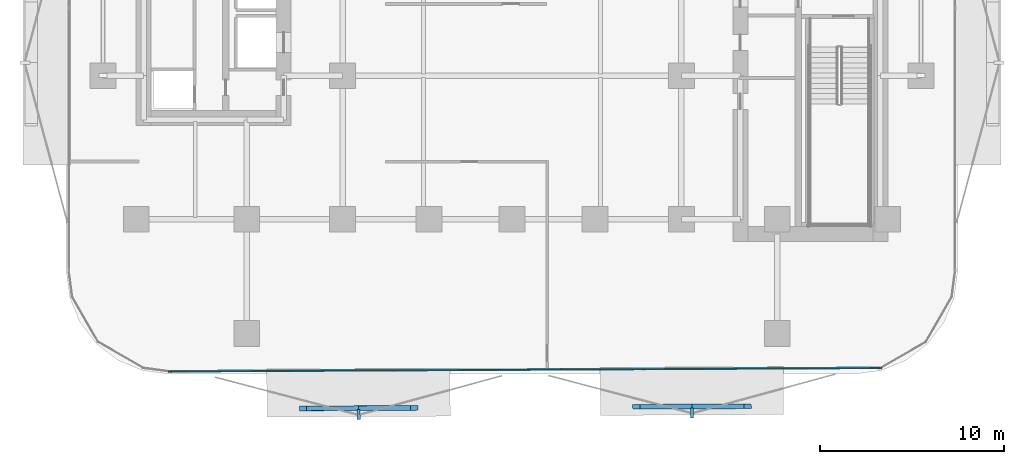
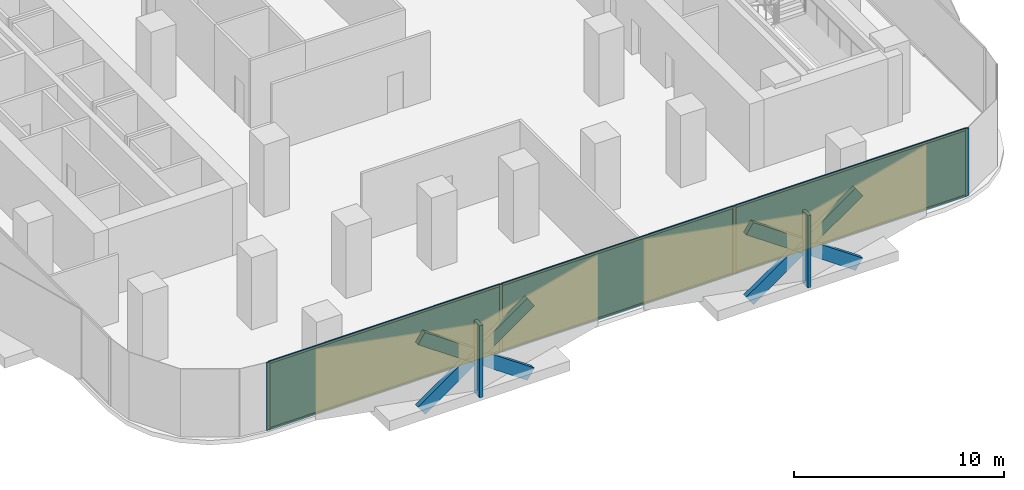
# One storey, part 7 of 15: 16 members, 3 plates, 1 curtain wall.
"""IFC4 building model written with IfcOpenShell, lengths in metres."""

from ifc_helpers import new_model, si_unit, direction, frame, frame_2d, origin, origin_2d, place, context, subcontext, project, spatial, rectangle, extrude, material, layer, layer_set, material_profile, profile_set, type_object, element, aggregate, save


model = new_model("IFC4")

# Units and contexts
model_context = context("Model", 3, precision=1e-05, world=origin(), true_north=direction((0.0, 1.0)))
body_context = subcontext(model_context, "Body", "Model", "MODEL_VIEW")
ifc_project = project(units=[si_unit("LENGTHUNIT", "METRE"), si_unit("AREAUNIT", "SQUARE_METRE"), si_unit("VOLUMEUNIT", "CUBIC_METRE"), si_unit("PLANEANGLEUNIT", "RADIAN"), si_unit("MASSUNIT", "GRAM", prefix="KILO")], contexts=[model_context])

# Member
ifc_material_1 = material(Name="Anodised Bronze Aluminium 6063-T6", Category="aluminium")
ifc_material_profile_1 = material_profile(ifc_material_1, rectangle(XDim=0.260009765625, YDim=0.699951171875, at=origin_2d()))
ifc_profile_set_1 = profile_set([ifc_material_profile_1], Name="Anodised Bronze Aluminium 6063-T6")
member_type_1 = type_object("IfcMemberType", Name="Bronze Diamond Solar-Screen Lattice Rib BDL-700", PredefinedType="MULLION", material=ifc_profile_set_1)
site_placement = place(None, origin())
building_placement = place(site_placement, origin())
storey_placement = place(building_placement, frame((0.0, 0.0, 68.0)))
member_1_placement = place(storey_placement, frame((12.788818359375, -28.747802734375, -0.1298828125), z_axis=(-0.820743653079, -0.003984998518, 0.57128274586), x_axis=(-0.00764700594, 0.999962717129, -0.004010941449)))
member_1 = element("IfcMember", 1, at=member_1_placement, type_object=member_type_1, Name="L16 Bronze Diamond Solar Screen Lattice Rib 81A", PredefinedType="MULLION", context=body_context, shape_type="SweptSolid", body=[
    extrude(rectangle(XDim=0.260009765625, YDim=0.699951171875, at=origin_2d()), origin(), (0.0, 0.0, 1.0), 7.351806640625),
])

member_2_placement = place(storey_placement, frame((6.7548828125, -28.777099609375, -0.1298828125), z_axis=(0.820743653079, 0.003984998518, 0.57128274586), x_axis=(0.00764700594, -0.999962717129, -0.004010941449)))
member_2 = element("IfcMember", 2, at=member_2_placement, type_object=member_type_1, Name="L16 Bronze Diamond Solar Screen Lattice Rib 81B", PredefinedType="MULLION", context=body_context, shape_type="SweptSolid", body=[
    extrude(rectangle(XDim=0.260009765625, YDim=0.699951171875, at=origin_2d()), origin(), (0.0, 0.0, 1.0), 7.351806640625),
])

member_3_placement = place(storey_placement, frame((-5.31298828125, -28.835693359375, -0.1298828125), z_axis=(-0.820743653079, -0.003984998518, 0.57128274586), x_axis=(-0.00764700594, 0.999962717129, -0.004010941449)))
member_3 = element("IfcMember", 3, at=member_3_placement, type_object=member_type_1, Name="L16 Bronze Diamond Solar Screen Lattice Rib 82A", PredefinedType="MULLION", context=body_context, shape_type="SweptSolid", body=[
    extrude(rectangle(XDim=0.260009765625, YDim=0.699951171875, at=origin_2d()), origin(), (0.0, 0.0, 1.0), 7.351806640625),
])

member_4_placement = place(storey_placement, frame((-11.346923828125, -28.864990234375, -0.1298828125), z_axis=(0.820743653079, 0.003984998518, 0.57128274586), x_axis=(0.00764700594, -0.999962717129, -0.004010941449)))
member_4 = element("IfcMember", 4, at=member_4_placement, type_object=member_type_1, Name="L16 Bronze Diamond Solar Screen Lattice Rib 82B", PredefinedType="MULLION", context=body_context, shape_type="SweptSolid", body=[
    extrude(rectangle(XDim=0.260009765625, YDim=0.699951171875, at=origin_2d()), origin(), (0.0, 0.0, 1.0), 7.351806640625),
])

ifc_material_2 = material(Name="Anodised Bronze Aluminium 6063-T6", Category="aluminium")
ifc_material_profile_2 = material_profile(ifc_material_2, rectangle(XDim=0.179931640625, YDim=0.5400390625, at=origin_2d()))
ifc_profile_set_2 = profile_set([ifc_material_profile_2], Name="Anodised Bronze Aluminium 6063-T6")
member_type_2 = type_object("IfcMemberType", Name="Bronze Solar-Screen Vertical Fold Fin BSF-540", PredefinedType="MULLION", material=ifc_profile_set_2)
member_5_placement = place(storey_placement, frame((9.7734375, -29.1025390625, -0.1298828125), z_axis=(0.0, 0.0, 1.0), x_axis=(-0.999988059021, -0.004886902454, 0.0)))
member_5 = element("IfcMember", 5, at=member_5_placement, type_object=member_type_2, Name="L16 Bronze Solar Screen Vertical Fin 81", PredefinedType="MULLION", context=body_context, shape_type="SweptSolid", body=[
    extrude(rectangle(XDim=0.179931640625, YDim=0.5400390625, at=origin_2d()), origin(), (0.0, 0.0, 1.0), 4.199951171875),
])

member_6_placement = place(storey_placement, frame((-8.328369140625, -29.190185546875, -0.1298828125), z_axis=(0.0, 0.0, 1.0), x_axis=(-0.999988059021, -0.004886902454, 0.0)))
member_6 = element("IfcMember", 6, at=member_6_placement, type_object=member_type_2, Name="L16 Bronze Solar Screen Vertical Fin 82", PredefinedType="MULLION", context=body_context, shape_type="SweptSolid", body=[
    extrude(rectangle(XDim=0.179931640625, YDim=0.5400390625, at=origin_2d()), origin(), (0.0, 0.0, 1.0), 4.199951171875),
])

ifc_material_3 = material(Name="Anodised Bronze Aluminium 6063-T6", Category="aluminium")
ifc_material_profile_3 = material_profile(ifc_material_3, rectangle(XDim=0.06494140625, YDim=0.179931640625, at=origin_2d()))
ifc_profile_set_3 = profile_set([ifc_material_profile_3], Name="Anodised Bronze Aluminium 6063-T6")
member_type_3 = type_object("IfcMemberType", Name="CW-Z1 Mullion 65x180", PredefinedType="MULLION", material=ifc_profile_set_3)
member_7_placement = place(storey_placement, frame((19.98046875, -26.6728515625, 0.0), z_axis=(0.0, 0.0, 1.0), x_axis=(0.004849219095, -0.999988242468, 0.0)))
member_7 = element("IfcMember", 7, at=member_7_placement, type_object=member_type_3, Name="CW-Z1 mullion 1", PredefinedType="MULLION", context=body_context, shape_type="SweptSolid", body=[
    extrude(rectangle(XDim=0.06494140625, YDim=0.179931640625, at=origin_2d()), origin(), (0.0, 0.0, 1.0), 3.93994140625),
])

member_8_placement = place(storey_placement, frame((7.14501953125, -26.735107421875, 0.0), z_axis=(0.0, 0.0, 1.0), x_axis=(0.004849219095, -0.999988242468, 0.0)))
member_8 = element("IfcMember", 8, at=member_8_placement, type_object=member_type_3, Name="CW-Z1 mullion 2", PredefinedType="MULLION", context=body_context, shape_type="SweptSolid", body=[
    extrude(rectangle(XDim=0.06494140625, YDim=0.179931640625, at=origin_2d()), origin(), (0.0, 0.0, 1.0), 3.93994140625),
])

member_9_placement = place(storey_placement, frame((-5.722900390625, -26.797607421875, 0.0), z_axis=(0.0, 0.0, 1.0), x_axis=(0.004849219095, -0.999988242468, 0.0)))
member_9 = element("IfcMember", 9, at=member_9_placement, type_object=member_type_3, Name="CW-Z1 mullion 3", PredefinedType="MULLION", context=body_context, shape_type="SweptSolid", body=[
    extrude(rectangle(XDim=0.06494140625, YDim=0.179931640625, at=origin_2d()), origin(), (0.0, 0.0, 1.0), 3.93994140625),
])

member_10_placement = place(storey_placement, frame((-18.558349609375, -26.85986328125, 0.0), z_axis=(0.0, 0.0, 1.0), x_axis=(0.004849219095, -0.999988242468, 0.0)))
member_10 = element("IfcMember", 10, at=member_10_placement, type_object=member_type_3, Name="CW-Z1 mullion 4", PredefinedType="MULLION", context=body_context, shape_type="SweptSolid", body=[
    extrude(rectangle(XDim=0.06494140625, YDim=0.179931640625, at=origin_2d()), origin(), (0.0, 0.0, 1.0), 3.93994140625),
])

ifc_material_4 = material(Name="Anodised Bronze Aluminium 6063-T6", Category="aluminium")
ifc_material_profile_4 = material_profile(ifc_material_4, rectangle(XDim=0.06494140625, YDim=0.139892578125, at=origin_2d()))
ifc_profile_set_4 = profile_set([ifc_material_profile_4], Name="Anodised Bronze Aluminium 6063-T6")
member_type_4 = type_object("IfcMemberType", Name="CW-Z1 Transom 65x140", PredefinedType="USERDEFINED", material=ifc_profile_set_4)
member_11_placement = place(storey_placement, frame((19.947998046875, -26.673095703125, 0.032470703125), z_axis=(-0.99998821055, -0.004855796541, 0.0), x_axis=(0.004855796541, -0.99998821055, 0.0)))
member_11 = element("IfcMember", 11, at=member_11_placement, type_object=member_type_4, Name="CW-Z1 transom 1.1", ObjectType="TRANSOM", PredefinedType="USERDEFINED", context=body_context, shape_type="SweptSolid", body=[
    extrude(rectangle(XDim=0.06494140625, YDim=0.139892578125, at=origin_2d()), origin(), (0.0, 0.0, 1.0), 12.770751953125),
])

member_12_placement = place(storey_placement, frame((19.947998046875, -26.673095703125, 3.907470703125), z_axis=(-0.99998821055, -0.004855796541, 0.0), x_axis=(0.004855796541, -0.99998821055, 0.0)))
member_12 = element("IfcMember", 12, at=member_12_placement, type_object=member_type_4, Name="CW-Z1 transom 1.2", ObjectType="TRANSOM", PredefinedType="USERDEFINED", context=body_context, shape_type="SweptSolid", body=[
    extrude(rectangle(XDim=0.06494140625, YDim=0.139892578125, at=origin_2d()), origin(), (0.0, 0.0, 1.0), 12.770751953125),
])

member_13_placement = place(storey_placement, frame((7.112548828125, -26.7353515625, 0.032470703125), z_axis=(-0.999988270274, -0.004843481639, 0.0), x_axis=(0.004843481639, -0.999988270274, 0.0)))
member_13 = element("IfcMember", 13, at=member_13_placement, type_object=member_type_4, Name="CW-Z1 transom 2.1", ObjectType="TRANSOM", PredefinedType="USERDEFINED", context=body_context, shape_type="SweptSolid", body=[
    extrude(rectangle(XDim=0.06494140625, YDim=0.139892578125, at=origin_2d()), origin(), (0.0, 0.0, 1.0), 12.80322265625),
])

member_14_placement = place(storey_placement, frame((7.112548828125, -26.7353515625, 3.907470703125), z_axis=(-0.999988270274, -0.004843481639, 0.0), x_axis=(0.004843481639, -0.999988270274, 0.0)))
member_14 = element("IfcMember", 14, at=member_14_placement, type_object=member_type_4, Name="CW-Z1 transom 2.2", ObjectType="TRANSOM", PredefinedType="USERDEFINED", context=body_context, shape_type="SweptSolid", body=[
    extrude(rectangle(XDim=0.06494140625, YDim=0.139892578125, at=origin_2d()), origin(), (0.0, 0.0, 1.0), 12.80322265625),
])

member_15_placement = place(storey_placement, frame((-5.75537109375, -26.7978515625, 0.032470703125), z_axis=(-0.999988303196, -0.00483667968, 0.0), x_axis=(0.00483667968, -0.999988303196, 0.0)))
member_15 = element("IfcMember", 15, at=member_15_placement, type_object=member_type_4, Name="CW-Z1 transom 3.1", ObjectType="TRANSOM", PredefinedType="USERDEFINED", context=body_context, shape_type="SweptSolid", body=[
    extrude(rectangle(XDim=0.06494140625, YDim=0.139892578125, at=origin_2d()), origin(), (0.0, 0.0, 1.0), 12.770751953125),
])

member_16_placement = place(storey_placement, frame((-5.75537109375, -26.7978515625, 3.907470703125), z_axis=(-0.999988303196, -0.00483667968, 0.0), x_axis=(0.00483667968, -0.999988303196, 0.0)))
member_16 = element("IfcMember", 16, at=member_16_placement, type_object=member_type_4, Name="CW-Z1 transom 3.2", ObjectType="TRANSOM", PredefinedType="USERDEFINED", context=body_context, shape_type="SweptSolid", body=[
    extrude(rectangle(XDim=0.06494140625, YDim=0.139892578125, at=origin_2d()), origin(), (0.0, 0.0, 1.0), 12.770751953125),
])

# Plate
ifc_material_5 = material(Name="Low-E Solar Control Laminated Glass", Category="glass")
ifc_layer_1 = layer(ifc_material_5, 0.028076171875, Name="Low-E Solar Control Laminated Glass")
ifc_layer_set_1 = layer_set([ifc_layer_1], Name="Low-E Solar Control Laminated Glass")
plate_type = type_object("IfcPlateType", Name="CW-Z1 Low-E Double Glazed Panel 28mm", PredefinedType="CURTAIN_PANEL", material=ifc_layer_set_1)
plate_1_placement = place(storey_placement, frame((13.562744140625, -26.7041015625, 0.06494140625), z_axis=(0.0, 0.0, 1.0), x_axis=(-0.999988242468, -0.004849219095, 0.0)))
plate_1 = element("IfcPlate", 17, at=plate_1_placement, type_object=plate_type, Name="CW-Z1 panel 1.1", PredefinedType="CURTAIN_PANEL", context=body_context, shape_type="SweptSolid", body=[
    extrude(rectangle(XDim=12.7705078125, YDim=0.028076171875, at=origin_2d()), origin(), (0.0, 0.0, 1.0), 3.81005859375),
])

plate_2_placement = place(storey_placement, frame((0.7109375, -26.766357421875, 0.06494140625), z_axis=(0.0, 0.0, 1.0), x_axis=(-0.999988242468, -0.004849219095, 0.0)))
plate_2 = element("IfcPlate", 18, at=plate_2_placement, type_object=plate_type, Name="CW-Z1 panel 2.1", PredefinedType="CURTAIN_PANEL", context=body_context, shape_type="SweptSolid", body=[
    extrude(rectangle(XDim=12.802978515625, YDim=0.028076171875, at=origin_2d()), origin(), (0.0, 0.0, 1.0), 3.81005859375),
])

plate_3_placement = place(storey_placement, frame((-12.140625, -26.82861328125, 0.06494140625), z_axis=(0.0, 0.0, 1.0), x_axis=(-0.999988242468, -0.004849219095, 0.0)))
plate_3 = element("IfcPlate", 19, at=plate_3_placement, type_object=plate_type, Name="CW-Z1 panel 3.1", PredefinedType="CURTAIN_PANEL", context=body_context, shape_type="SweptSolid", body=[
    extrude(rectangle(XDim=12.7705078125, YDim=0.028076171875, at=origin_2d()), origin(), (0.0, 0.0, 1.0), 3.81005859375),
])

# Site, building, storey
site = spatial("IfcSite", under=ifc_project, at=site_placement, CompositionType="ELEMENT")
building = spatial("IfcBuilding", under=site, at=building_placement, Name="Khairoan Windgate Tower", CompositionType="ELEMENT")
storey = spatial("IfcBuildingStorey", under=building, at=storey_placement, Name="L16", CompositionType="ELEMENT", Elevation=68.0)

# Curtain wall
ifc_material_6 = material(Name="Anodised Bronze Aluminium 6063-T6", Category="aluminium")
ifc_layer_2 = layer(ifc_material_6, 0.179931640625, Name="Anodised Bronze Aluminium 6063-T6")
ifc_layer_set_2 = layer_set([ifc_layer_2], Name="Anodised Bronze Aluminium 6063-T6")
curtain_wall_type = type_object("IfcCurtainWallType", Name="Low-Rise Office Unitised Curtain Wall CW-Z1", PredefinedType="NOTDEFINED", material=ifc_layer_set_2)
curtain_wall_placement = place(storey_placement, frame((20.012939453125, -26.6728515625, 0.0), z_axis=(0.0, 0.0, 1.0), x_axis=(-0.999988235487, -0.004850658525, 0.0)))
curtain_wall = element("IfcCurtainWall", 20, at=curtain_wall_placement, inside=storey, type_object=curtain_wall_type, Name="L16 Unitised Curtain Wall 1", PredefinedType="NOTDEFINED", context=body_context, shape_type="SweptSolid", body=[
    extrude(rectangle(XDim=38.604248046875, YDim=0.010009765625, at=frame_2d((19.30224609375, 0.0))), origin(), (0.0, 0.0, 1.0), 3.93994140625),
])

aggregate(curtain_wall, [member_7, member_8, member_9, member_10, member_11, member_12, plate_1, member_13, member_14, plate_2, member_15, member_16, plate_3, member_1, member_2, member_5, member_3, member_4, member_6])

save(model, "model.ifc")
